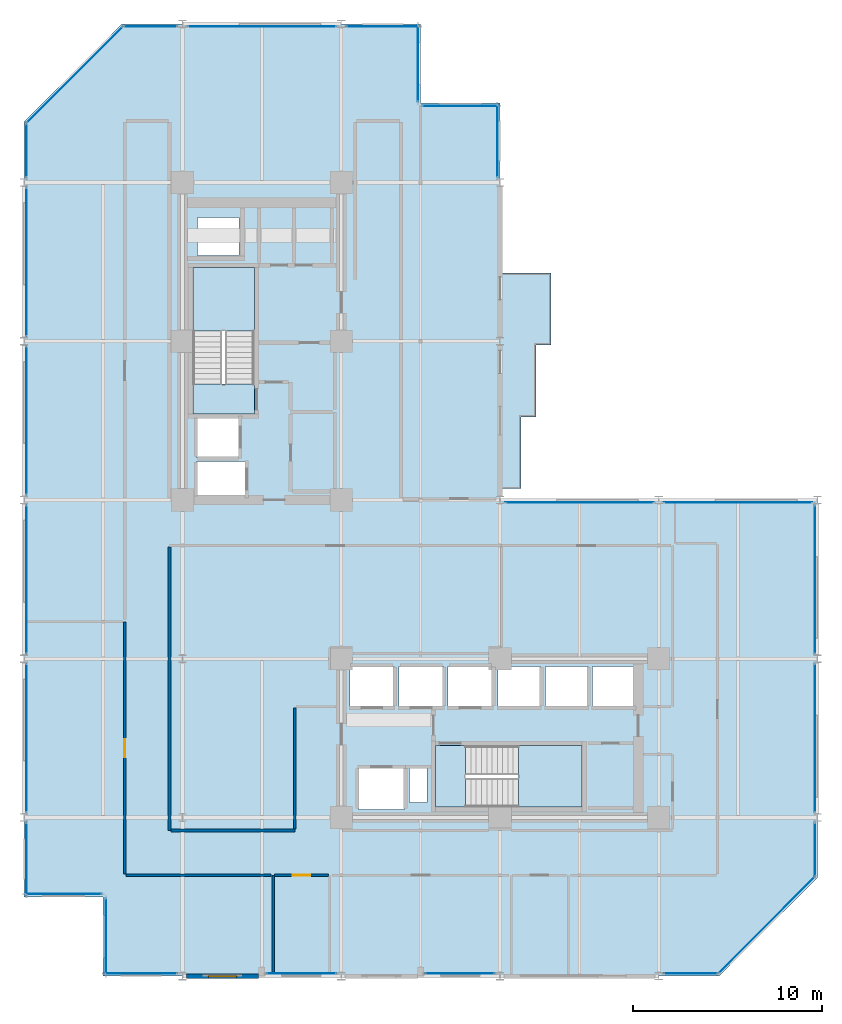
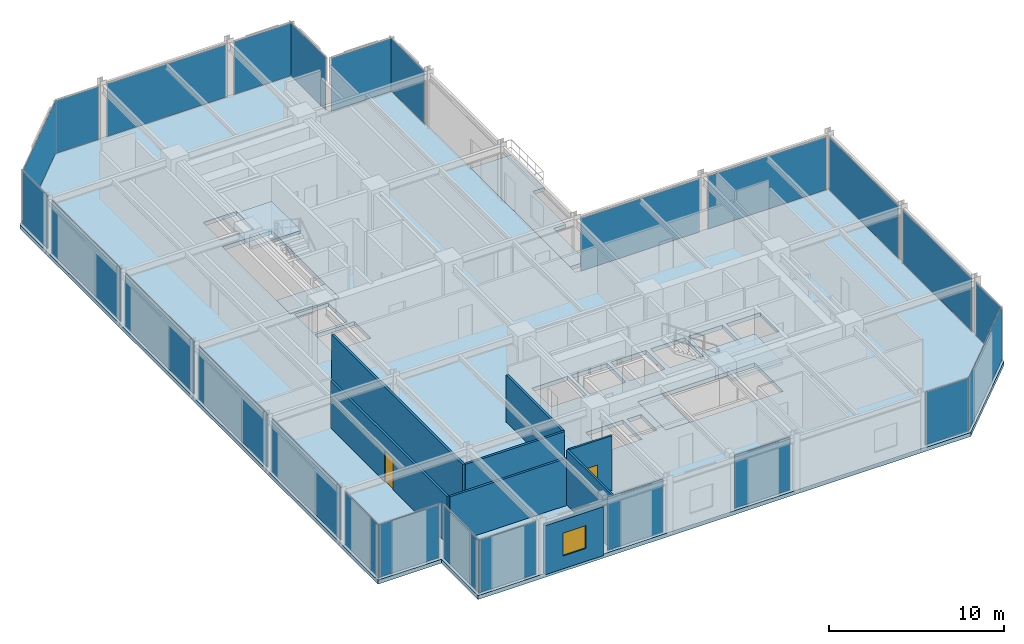
# One storey, part 23 of 29: 25 plates, 8 walls, 6 slabs, 2 doors, 1 window, 3 openings, 27 elements without a shape of their own.
"""IFC4 building model written with IfcOpenShell, lengths in metres."""

from ifc_helpers import new_model, si_unit, direction, frame, frame_2d, origin, origin_2d, place, context, subcontext, project, spatial, polyline, rectangle, outline, extrude, material, layer, layer_set, type_object, element, fill, aggregate, save


model = new_model("IFC4")

# Units and contexts
model_context = context("Model", 3, precision=1e-05, world=origin(), true_north=direction((0.0, 1.0)))
body_context = subcontext(model_context, "Body", "Model", "MODEL_VIEW")
ifc_project = project(units=[si_unit("LENGTHUNIT", "METRE"), si_unit("AREAUNIT", "SQUARE_METRE"), si_unit("VOLUMEUNIT", "CUBIC_METRE"), si_unit("PLANEANGLEUNIT", "RADIAN"), si_unit("MASSUNIT", "GRAM", prefix="KILO")], contexts=[model_context])

# Site, building, storey
site_placement = place(None, origin())
site = spatial("IfcSite", under=ifc_project, at=site_placement, CompositionType="ELEMENT")
building_placement = place(site_placement, origin())
building = spatial("IfcBuilding", under=site, at=building_placement, Name="Nerrivon Quay Data Exchange", CompositionType="ELEMENT")
storey_placement = place(building_placement, frame((0.0, 0.0, 121.300048828125)))
storey = spatial("IfcBuildingStorey", under=building, at=storey_placement, Name="L28", CompositionType="ELEMENT", Elevation=121.300048828125)

# Curtain wall, plate
ifc_material_1 = material(Name="Anodised aluminium 6063-T6", Category="aluminium")
ifc_layer_1 = layer(ifc_material_1, 0.2099609375)
ifc_layer_set_1 = layer_set([ifc_layer_1], Name="Anodised aluminium 6063-T6")
curtain_wall_type = type_object("IfcCurtainWallType", Name="CW-SYS-02", PredefinedType="NOTDEFINED", material=ifc_layer_set_1)
curtain_wall_1_placement = place(storey_placement, origin())
curtain_wall_1 = element("IfcCurtainWall", 1, at=curtain_wall_1_placement, inside=storey, type_object=curtain_wall_type, Name="L28 Unitised Curtain Wall 1", PredefinedType="NOTDEFINED")
ifc_material_2 = material(Name="Double-glazed low-E solar control glass", Category="glass")
ifc_layer_2 = layer(ifc_material_2, 0.028076171875)
ifc_layer_set_2 = layer_set([ifc_layer_2], Name="Double-glazed low-E solar control glass")
plate_type = type_object("IfcPlateType", Name="CWP-GLZ-28", PredefinedType="CURTAIN_PANEL", material=ifc_layer_set_2)
plate_1_placement = place(storey_placement, frame((39.301025390625, 2.698974609375, 0.06494140625), z_axis=(0.0, 0.0, 1.0), x_axis=(-0.707106781187, -0.707106781187, 0.0)))
plate_1 = element("IfcPlate", 2, at=plate_1_placement, type_object=plate_type, Name="CW02 panel 1.1", PredefinedType="CURTAIN_PANEL", context=body_context, shape_type="SweptSolid", body=[
    extrude(rectangle(XDim=7.203857421875, YDim=0.028076171875, at=origin_2d()), origin(), (0.0, 0.0, 1.0), 3.695068359375),
])
aggregate(curtain_wall_1, [plate_1])

curtain_wall_2_placement = place(storey_placement, origin())
curtain_wall_2 = element("IfcCurtainWall", 3, at=curtain_wall_2_placement, inside=storey, type_object=curtain_wall_type, Name="L28 Unitised Curtain Wall 2", PredefinedType="NOTDEFINED")
plate_2_placement = place(storey_placement, frame((35.300048828125, 0.139892578125, 0.06494140625), z_axis=(0.0, 0.0, 1.0), x_axis=(-1.0, 0.0, 0.0)))
plate_2 = element("IfcPlate", 4, at=plate_2_placement, type_object=plate_type, Name="CW02 panel 1.1", PredefinedType="CURTAIN_PANEL", context=body_context, shape_type="SweptSolid", body=[
    extrude(rectangle(XDim=2.85009765625, YDim=0.028076171875, at=origin_2d()), origin(), (0.0, 0.0, 1.0), 3.695068359375),
])
aggregate(curtain_wall_2, [plate_2])

curtain_wall_3_placement = place(storey_placement, origin())
curtain_wall_3 = element("IfcCurtainWall", 5, at=curtain_wall_3_placement, inside=storey, type_object=curtain_wall_type, Name="L28 Unitised Curtain Wall 4", PredefinedType="NOTDEFINED")
plate_3_placement = place(storey_placement, frame((23.08740234375, 0.139892578125, 0.06494140625), z_axis=(0.0, 0.0, 1.0), x_axis=(-1.0, 0.0, 0.0)))
plate_3 = element("IfcPlate", 6, at=plate_3_placement, type_object=plate_type, Name="CW02 panel 1.1", PredefinedType="CURTAIN_PANEL", context=body_context, shape_type="SweptSolid", body=[
    extrude(rectangle(XDim=3.675048828125, YDim=0.028076171875, at=origin_2d()), origin(), (0.0, 0.0, 1.0), 3.695068359375),
])
aggregate(curtain_wall_3, [plate_3])

curtain_wall_4_placement = place(storey_placement, origin())
curtain_wall_4 = element("IfcCurtainWall", 7, at=curtain_wall_4_placement, inside=storey, type_object=curtain_wall_type, Name="L28 Unitised Curtain Wall 6", PredefinedType="NOTDEFINED")
plate_4_placement = place(storey_placement, frame((14.6875, 0.139892578125, 0.06494140625), z_axis=(0.0, 0.0, 1.0), x_axis=(-1.0, 0.0, 0.0)))
plate_4 = element("IfcPlate", 8, at=plate_4_placement, type_object=plate_type, Name="CW02 panel 1.1", PredefinedType="CURTAIN_PANEL", context=body_context, shape_type="SweptSolid", body=[
    extrude(rectangle(XDim=3.675048828125, YDim=0.028076171875, at=origin_2d()), origin(), (0.0, 0.0, 1.0), 3.695068359375),
])
aggregate(curtain_wall_4, [plate_4])

curtain_wall_5_placement = place(storey_placement, origin())
curtain_wall_5 = element("IfcCurtainWall", 9, at=curtain_wall_5_placement, inside=storey, type_object=curtain_wall_type, Name="L28 Unitised Curtain Wall 8", PredefinedType="NOTDEFINED")
plate_5_placement = place(storey_placement, frame((6.199951171875, 0.139892578125, 0.06494140625), z_axis=(0.0, 0.0, 1.0), x_axis=(-1.0, 0.0, 0.0)))
plate_5 = element("IfcPlate", 10, at=plate_5_placement, type_object=plate_type, Name="CW02 panel 1.1", PredefinedType="CURTAIN_PANEL", context=body_context, shape_type="SweptSolid", body=[
    extrude(rectangle(XDim=3.85009765625, YDim=0.028076171875, at=origin_2d()), origin(), (0.0, 0.0, 1.0), 3.695068359375),
])
aggregate(curtain_wall_5, [plate_5])

curtain_wall_6_placement = place(storey_placement, origin())
curtain_wall_6 = element("IfcCurtainWall", 11, at=curtain_wall_6_placement, inside=storey, type_object=curtain_wall_type, Name="L28 Unitised Curtain Wall 9", PredefinedType="NOTDEFINED")
plate_6_placement = place(storey_placement, frame((4.340087890625, 2.10009765625, 0.06494140625), z_axis=(0.0, 0.0, 1.0), x_axis=(0.0, 1.0, 0.0)))
plate_6 = element("IfcPlate", 12, at=plate_6_placement, type_object=plate_type, Name="CW02 panel 1.1", PredefinedType="CURTAIN_PANEL", context=body_context, shape_type="SweptSolid", body=[
    extrude(rectangle(XDim=4.050048828125, YDim=0.028076171875, at=origin_2d()), origin(), (0.0, 0.0, 1.0), 3.695068359375),
])
aggregate(curtain_wall_6, [plate_6])

curtain_wall_7_placement = place(storey_placement, origin())
curtain_wall_7 = element("IfcCurtainWall", 13, at=curtain_wall_7_placement, inside=storey, type_object=curtain_wall_type, Name="L28 Unitised Curtain Wall 10", PredefinedType="NOTDEFINED")
plate_7_placement = place(storey_placement, frame((2.10009765625, 4.340087890625, 0.06494140625), z_axis=(0.0, 0.0, 1.0), x_axis=(-1.0, 0.0, 0.0)))
plate_7 = element("IfcPlate", 14, at=plate_7_placement, type_object=plate_type, Name="CW02 panel 1.1", PredefinedType="CURTAIN_PANEL", context=body_context, shape_type="SweptSolid", body=[
    extrude(rectangle(XDim=4.050048828125, YDim=0.028076171875, at=origin_2d()), origin(), (0.0, 0.0, 1.0), 3.695068359375),
])
aggregate(curtain_wall_7, [plate_7])

curtain_wall_8_placement = place(storey_placement, origin())
curtain_wall_8 = element("IfcCurtainWall", 15, at=curtain_wall_8_placement, inside=storey, type_object=curtain_wall_type, Name="L28 Unitised Curtain Wall 11", PredefinedType="NOTDEFINED")
plate_8_placement = place(storey_placement, frame((0.139892578125, 6.199951171875, 0.06494140625), z_axis=(0.0, 0.0, 1.0), x_axis=(0.0, 1.0, 0.0)))
plate_8 = element("IfcPlate", 16, at=plate_8_placement, type_object=plate_type, Name="CW02 panel 1.1", PredefinedType="CURTAIN_PANEL", context=body_context, shape_type="SweptSolid", body=[
    extrude(rectangle(XDim=3.85009765625, YDim=0.028076171875, at=origin_2d()), origin(), (0.0, 0.0, 1.0), 3.695068359375),
])
aggregate(curtain_wall_8, [plate_8])

curtain_wall_9_placement = place(storey_placement, origin())
curtain_wall_9 = element("IfcCurtainWall", 17, at=curtain_wall_9_placement, inside=storey, type_object=curtain_wall_type, Name="L28 Unitised Curtain Wall 12", PredefinedType="NOTDEFINED")
plate_9_placement = place(storey_placement, frame((0.139892578125, 12.60009765625, 0.06494140625), z_axis=(0.0, 0.0, 1.0), x_axis=(0.0, 1.0, 0.0)))
plate_9 = element("IfcPlate", 18, at=plate_9_placement, type_object=plate_type, Name="CW02 panel 1.1", PredefinedType="CURTAIN_PANEL", context=body_context, shape_type="SweptSolid", body=[
    extrude(rectangle(XDim=7.85009765625, YDim=0.028076171875, at=origin_2d()), origin(), (0.0, 0.0, 1.0), 3.695068359375),
])
aggregate(curtain_wall_9, [plate_9])

curtain_wall_10_placement = place(storey_placement, origin())
curtain_wall_10 = element("IfcCurtainWall", 19, at=curtain_wall_10_placement, inside=storey, type_object=curtain_wall_type, Name="L28 Unitised Curtain Wall 13", PredefinedType="NOTDEFINED")
plate_10_placement = place(storey_placement, frame((0.139892578125, 21.0, 0.06494140625), z_axis=(0.0, 0.0, 1.0), x_axis=(0.0, 1.0, 0.0)))
plate_10 = element("IfcPlate", 20, at=plate_10_placement, type_object=plate_type, Name="CW02 panel 1.1", PredefinedType="CURTAIN_PANEL", context=body_context, shape_type="SweptSolid", body=[
    extrude(rectangle(XDim=7.85009765625, YDim=0.028076171875, at=origin_2d()), origin(), (0.0, 0.0, 1.0), 3.695068359375),
])
aggregate(curtain_wall_10, [plate_10])

curtain_wall_11_placement = place(storey_placement, origin())
curtain_wall_11 = element("IfcCurtainWall", 21, at=curtain_wall_11_placement, inside=storey, type_object=curtain_wall_type, Name="L28 Unitised Curtain Wall 14", PredefinedType="NOTDEFINED")
plate_11_placement = place(storey_placement, frame((0.139892578125, 29.39990234375, 0.06494140625), z_axis=(0.0, 0.0, 1.0), x_axis=(0.0, 1.0, 0.0)))
plate_11 = element("IfcPlate", 22, at=plate_11_placement, type_object=plate_type, Name="CW02 panel 1.1", PredefinedType="CURTAIN_PANEL", context=body_context, shape_type="SweptSolid", body=[
    extrude(rectangle(XDim=7.85009765625, YDim=0.028076171875, at=origin_2d()), origin(), (0.0, 0.0, 1.0), 3.695068359375),
])
aggregate(curtain_wall_11, [plate_11])

curtain_wall_12_placement = place(storey_placement, origin())
curtain_wall_12 = element("IfcCurtainWall", 23, at=curtain_wall_12_placement, inside=storey, type_object=curtain_wall_type, Name="L28 Unitised Curtain Wall 15", PredefinedType="NOTDEFINED")
plate_12_placement = place(storey_placement, frame((0.139892578125, 37.800048828125, 0.06494140625), z_axis=(0.0, 0.0, 1.0), x_axis=(0.0, 1.0, 0.0)))
plate_12 = element("IfcPlate", 24, at=plate_12_placement, type_object=plate_type, Name="CW02 panel 1.1", PredefinedType="CURTAIN_PANEL", context=body_context, shape_type="SweptSolid", body=[
    extrude(rectangle(XDim=7.85009765625, YDim=0.028076171875, at=origin_2d()), origin(), (0.0, 0.0, 1.0), 3.695068359375),
])
aggregate(curtain_wall_12, [plate_12])

curtain_wall_13_placement = place(storey_placement, origin())
curtain_wall_13 = element("IfcCurtainWall", 25, at=curtain_wall_13_placement, inside=storey, type_object=curtain_wall_type, Name="L28 Unitised Curtain Wall 16", PredefinedType="NOTDEFINED")
plate_13_placement = place(storey_placement, frame((0.139892578125, 43.699951171875, 0.06494140625), z_axis=(0.0, 0.0, 1.0), x_axis=(0.0, 1.0, 0.0)))
plate_13 = element("IfcPlate", 26, at=plate_13_placement, type_object=plate_type, Name="CW02 panel 1.1", PredefinedType="CURTAIN_PANEL", context=body_context, shape_type="SweptSolid", body=[
    extrude(rectangle(XDim=2.85009765625, YDim=0.028076171875, at=origin_2d()), origin(), (0.0, 0.0, 1.0), 3.695068359375),
])
aggregate(curtain_wall_13, [plate_13])

curtain_wall_14_placement = place(storey_placement, origin())
curtain_wall_14 = element("IfcCurtainWall", 27, at=curtain_wall_14_placement, inside=storey, type_object=curtain_wall_type, Name="L28 Unitised Curtain Wall 17", PredefinedType="NOTDEFINED")
plate_14_placement = place(storey_placement, frame((2.698974609375, 47.700927734375, 0.06494140625), z_axis=(0.0, 0.0, 1.0), x_axis=(0.707106781187, 0.707106781187, 0.0)))
plate_14 = element("IfcPlate", 28, at=plate_14_placement, type_object=plate_type, Name="CW02 panel 1.1", PredefinedType="CURTAIN_PANEL", context=body_context, shape_type="SweptSolid", body=[
    extrude(rectangle(XDim=7.203857421875, YDim=0.028076171875, at=origin_2d()), origin(), (0.0, 0.0, 1.0), 3.695068359375),
])
aggregate(curtain_wall_14, [plate_14])

curtain_wall_15_placement = place(storey_placement, origin())
curtain_wall_15 = element("IfcCurtainWall", 29, at=curtain_wall_15_placement, inside=storey, type_object=curtain_wall_type, Name="L28 Unitised Curtain Wall 18", PredefinedType="NOTDEFINED")
plate_15_placement = place(storey_placement, frame((6.699951171875, 50.260009765625, 0.06494140625), z_axis=(0.0, 0.0, 1.0), x_axis=(1.0, 0.0, 0.0)))
plate_15 = element("IfcPlate", 30, at=plate_15_placement, type_object=plate_type, Name="CW02 panel 1.1", PredefinedType="CURTAIN_PANEL", context=body_context, shape_type="SweptSolid", body=[
    extrude(rectangle(XDim=2.85009765625, YDim=0.028076171875, at=origin_2d()), origin(), (0.0, 0.0, 1.0), 3.695068359375),
])
aggregate(curtain_wall_15, [plate_15])

curtain_wall_16_placement = place(storey_placement, origin())
curtain_wall_16 = element("IfcCurtainWall", 31, at=curtain_wall_16_placement, inside=storey, type_object=curtain_wall_type, Name="L28 Unitised Curtain Wall 19", PredefinedType="NOTDEFINED")
plate_16_placement = place(storey_placement, frame((12.60009765625, 50.260009765625, 0.06494140625), z_axis=(0.0, 0.0, 1.0), x_axis=(1.0, 0.0, 0.0)))
plate_16 = element("IfcPlate", 32, at=plate_16_placement, type_object=plate_type, Name="CW02 panel 1.1", PredefinedType="CURTAIN_PANEL", context=body_context, shape_type="SweptSolid", body=[
    extrude(rectangle(XDim=7.85009765625, YDim=0.028076171875, at=origin_2d()), origin(), (0.0, 0.0, 1.0), 3.695068359375),
])
aggregate(curtain_wall_16, [plate_16])

curtain_wall_17_placement = place(storey_placement, origin())
curtain_wall_17 = element("IfcCurtainWall", 33, at=curtain_wall_17_placement, inside=storey, type_object=curtain_wall_type, Name="L28 Unitised Curtain Wall 20", PredefinedType="NOTDEFINED")
plate_17_placement = place(storey_placement, frame((19.0, 50.260009765625, 0.06494140625), z_axis=(0.0, 0.0, 1.0), x_axis=(1.0, 0.0, 0.0)))
plate_17 = element("IfcPlate", 34, at=plate_17_placement, type_object=plate_type, Name="CW02 panel 1.1", PredefinedType="CURTAIN_PANEL", context=body_context, shape_type="SweptSolid", body=[
    extrude(rectangle(XDim=3.85009765625, YDim=0.028076171875, at=origin_2d()), origin(), (0.0, 0.0, 1.0), 3.695068359375),
])
aggregate(curtain_wall_17, [plate_17])

curtain_wall_18_placement = place(storey_placement, origin())
curtain_wall_18 = element("IfcCurtainWall", 35, at=curtain_wall_18_placement, inside=storey, type_object=curtain_wall_type, Name="L28 Unitised Curtain Wall 21", PredefinedType="NOTDEFINED")
plate_18_placement = place(storey_placement, frame((20.860107421875, 48.300048828125, 0.06494140625), z_axis=(0.0, 0.0, 1.0), x_axis=(0.0, -1.0, 0.0)))
plate_18 = element("IfcPlate", 36, at=plate_18_placement, type_object=plate_type, Name="CW02 panel 1.1", PredefinedType="CURTAIN_PANEL", context=body_context, shape_type="SweptSolid", body=[
    extrude(rectangle(XDim=4.050048828125, YDim=0.028076171875, at=origin_2d()), origin(), (0.0, 0.0, 1.0), 3.695068359375),
])
aggregate(curtain_wall_18, [plate_18])

curtain_wall_19_placement = place(storey_placement, origin())
curtain_wall_19 = element("IfcCurtainWall", 37, at=curtain_wall_19_placement, inside=storey, type_object=curtain_wall_type, Name="L28 Unitised Curtain Wall 22", PredefinedType="NOTDEFINED")
plate_19_placement = place(storey_placement, frame((23.10009765625, 46.06005859375, 0.06494140625), z_axis=(0.0, 0.0, 1.0), x_axis=(1.0, 0.0, 0.0)))
plate_19 = element("IfcPlate", 38, at=plate_19_placement, type_object=plate_type, Name="CW02 panel 1.1", PredefinedType="CURTAIN_PANEL", context=body_context, shape_type="SweptSolid", body=[
    extrude(rectangle(XDim=4.050048828125, YDim=0.028076171875, at=origin_2d()), origin(), (0.0, 0.0, 1.0), 3.695068359375),
])
aggregate(curtain_wall_19, [plate_19])

curtain_wall_20_placement = place(storey_placement, origin())
curtain_wall_20 = element("IfcCurtainWall", 39, at=curtain_wall_20_placement, inside=storey, type_object=curtain_wall_type, Name="L28 Unitised Curtain Wall 23", PredefinedType="NOTDEFINED")
plate_20_placement = place(storey_placement, frame((25.06005859375, 44.199951171875, 0.06494140625), z_axis=(0.0, 0.0, 1.0), x_axis=(0.0, -1.0, 0.0)))
plate_20 = element("IfcPlate", 40, at=plate_20_placement, type_object=plate_type, Name="CW02 panel 1.1", PredefinedType="CURTAIN_PANEL", context=body_context, shape_type="SweptSolid", body=[
    extrude(rectangle(XDim=3.85009765625, YDim=0.028076171875, at=origin_2d()), origin(), (0.0, 0.0, 1.0), 3.695068359375),
])
aggregate(curtain_wall_20, [plate_20])

curtain_wall_21_placement = place(storey_placement, origin())
curtain_wall_21 = element("IfcCurtainWall", 41, at=curtain_wall_21_placement, inside=storey, type_object=curtain_wall_type, Name="L28 Unitised Curtain Wall 26", PredefinedType="NOTDEFINED")
plate_21_placement = place(storey_placement, frame((29.39990234375, 25.06005859375, 0.06494140625), z_axis=(0.0, 0.0, 1.0), x_axis=(1.0, 0.0, 0.0)))
plate_21 = element("IfcPlate", 42, at=plate_21_placement, type_object=plate_type, Name="CW02 panel 1.1", PredefinedType="CURTAIN_PANEL", context=body_context, shape_type="SweptSolid", body=[
    extrude(rectangle(XDim=7.85009765625, YDim=0.028076171875, at=origin_2d()), origin(), (0.0, 0.0, 1.0), 3.695068359375),
])
aggregate(curtain_wall_21, [plate_21])

curtain_wall_22_placement = place(storey_placement, origin())
curtain_wall_22 = element("IfcCurtainWall", 43, at=curtain_wall_22_placement, inside=storey, type_object=curtain_wall_type, Name="L28 Unitised Curtain Wall 27", PredefinedType="NOTDEFINED")
plate_22_placement = place(storey_placement, frame((37.800048828125, 25.06005859375, 0.06494140625), z_axis=(0.0, 0.0, 1.0), x_axis=(1.0, 0.0, 0.0)))
plate_22 = element("IfcPlate", 44, at=plate_22_placement, type_object=plate_type, Name="CW02 panel 1.1", PredefinedType="CURTAIN_PANEL", context=body_context, shape_type="SweptSolid", body=[
    extrude(rectangle(XDim=7.85009765625, YDim=0.028076171875, at=origin_2d()), origin(), (0.0, 0.0, 1.0), 3.695068359375),
])
aggregate(curtain_wall_22, [plate_22])

curtain_wall_23_placement = place(storey_placement, origin())
curtain_wall_23 = element("IfcCurtainWall", 45, at=curtain_wall_23_placement, inside=storey, type_object=curtain_wall_type, Name="L28 Unitised Curtain Wall 28", PredefinedType="NOTDEFINED")
plate_23_placement = place(storey_placement, frame((41.860107421875, 21.0, 0.06494140625), z_axis=(0.0, 0.0, 1.0), x_axis=(0.0, -1.0, 0.0)))
plate_23 = element("IfcPlate", 46, at=plate_23_placement, type_object=plate_type, Name="CW02 panel 1.1", PredefinedType="CURTAIN_PANEL", context=body_context, shape_type="SweptSolid", body=[
    extrude(rectangle(XDim=7.85009765625, YDim=0.028076171875, at=origin_2d()), origin(), (0.0, 0.0, 1.0), 3.695068359375),
])
aggregate(curtain_wall_23, [plate_23])

curtain_wall_24_placement = place(storey_placement, origin())
curtain_wall_24 = element("IfcCurtainWall", 47, at=curtain_wall_24_placement, inside=storey, type_object=curtain_wall_type, Name="L28 Unitised Curtain Wall 29", PredefinedType="NOTDEFINED")
plate_24_placement = place(storey_placement, frame((41.860107421875, 12.60009765625, 0.06494140625), z_axis=(0.0, 0.0, 1.0), x_axis=(0.0, -1.0, 0.0)))
plate_24 = element("IfcPlate", 48, at=plate_24_placement, type_object=plate_type, Name="CW02 panel 1.1", PredefinedType="CURTAIN_PANEL", context=body_context, shape_type="SweptSolid", body=[
    extrude(rectangle(XDim=7.85009765625, YDim=0.028076171875, at=origin_2d()), origin(), (0.0, 0.0, 1.0), 3.695068359375),
])
aggregate(curtain_wall_24, [plate_24])

curtain_wall_25_placement = place(storey_placement, origin())
curtain_wall_25 = element("IfcCurtainWall", 49, at=curtain_wall_25_placement, inside=storey, type_object=curtain_wall_type, Name="L28 Unitised Curtain Wall 30", PredefinedType="NOTDEFINED")
plate_25_placement = place(storey_placement, frame((41.860107421875, 6.699951171875, 0.06494140625), z_axis=(0.0, 0.0, 1.0), x_axis=(0.0, -1.0, 0.0)))
plate_25 = element("IfcPlate", 50, at=plate_25_placement, type_object=plate_type, Name="CW02 panel 1.1", PredefinedType="CURTAIN_PANEL", context=body_context, shape_type="SweptSolid", body=[
    extrude(rectangle(XDim=2.85009765625, YDim=0.028076171875, at=origin_2d()), origin(), (0.0, 0.0, 1.0), 3.695068359375),
])
aggregate(curtain_wall_25, [plate_25])

# Slab
ifc_material_3 = material(Name="Precast white architectural concrete N50 (50 MPa)", Category="concrete")
ifc_layer_3 = layer(ifc_material_3, 0.25)
ifc_layer_set_3 = layer_set([ifc_layer_3], Name="Precast white architectural concrete N50 (50 MPa)")
slab_type_1 = type_object("IfcSlabType", Name="SLB-BAL-250", PredefinedType="FLOOR", material=ifc_layer_set_3)
slab_1_placement = place(storey_placement, frame((0.0, 0.0, -0.25)))
element("IfcSlab", 51, at=slab_1_placement, inside=storey, type_object=slab_type_1, Name="L28 Waterfront Subtropical Verandah", PredefinedType="FLOOR", context=body_context, shape_type="SweptSolid", body=[
    extrude(outline(polyline([(26.300048828125, 29.60009765625), (27.10009765625, 29.60009765625), (27.10009765625, 33.39990234375), (27.89990234375, 33.39990234375), (27.89990234375, 37.199951171875), (25.199951171875, 37.199951171875), (25.199951171875, 33.39990234375), (25.199951171875, 29.60009765625), (25.199951171875, 25.800048828125), (26.300048828125, 25.800048828125), (26.300048828125, 29.60009765625)])), origin(), (0.0, 0.0, 1.0), 0.25),
])

# Stair, slab
ifc_material_4 = material(Name="Concrete N50 (50 MPa)", Category="concrete")
stair_type = type_object("IfcStairType", Name="STAIR-DOG-41", PredefinedType="HALF_TURN_STAIR", material=ifc_material_4)
stair_1_placement = place(storey_placement, origin())
stair_1 = element("IfcStair", 52, at=stair_1_placement, inside=storey, type_object=stair_type, Name="L28 West Core Fire Stair ST01", PredefinedType="HALF_TURN_STAIR")
ifc_layer_4 = layer(ifc_material_4, 0.199951171875)
ifc_layer_set_4 = layer_set([ifc_layer_4], Name="Concrete N50 (50 MPa)")
slab_type_2 = type_object("IfcSlabType", Name="SLB-LAND-200", PredefinedType="LANDING", material=ifc_layer_set_4)
slab_2_placement = place(storey_placement, frame((0.0, 0.0, 1.849853515625)))
slab_2 = element("IfcSlab", 53, at=slab_2_placement, type_object=slab_type_2, Name="ST01 landing 1", PredefinedType="LANDING", context=body_context, shape_type="SweptSolid", body=[
    extrude(outline(polyline([(12.199951171875, 34.1298828125), (12.199951171875, 37.5), (8.949951171875, 37.5), (8.949951171875, 34.1298828125), (12.199951171875, 34.1298828125)])), origin(), (0.0, 0.0, 1.0), 0.2001953125),
])
aggregate(stair_1, [slab_2])

# Slab
slab_3_placement = place(storey_placement, frame((0.0, 0.0, -0.199951171875)))
element("IfcSlab", 54, at=slab_3_placement, inside=storey, type_object=slab_type_2, Name="L28 ST01 floor landing", PredefinedType="LANDING", context=body_context, shape_type="SweptSolid", body=[
    extrude(outline(polyline([(12.199951171875, 29.75), (12.199951171875, 31.330078125), (8.949951171875, 31.330078125), (8.949951171875, 29.75), (12.199951171875, 29.75)])), origin(), (0.0, 0.0, 1.0), 0.199951171875),
])

# Stair, slab
stair_2_placement = place(storey_placement, origin())
stair_2 = element("IfcStair", 55, at=stair_2_placement, inside=storey, type_object=stair_type, Name="L28 East Core Fire Stair ST02", PredefinedType="HALF_TURN_STAIR")
slab_4_placement = place(storey_placement, frame((0.0, 0.0, 1.849853515625)))
slab_4 = element("IfcSlab", 56, at=slab_4_placement, type_object=slab_type_2, Name="ST02 landing 1", PredefinedType="LANDING", context=body_context, shape_type="SweptSolid", body=[
    extrude(outline(polyline([(26.179931640625, 8.949951171875), (29.550048828125, 8.949951171875), (29.550048828125, 12.199951171875), (26.179931640625, 12.199951171875), (26.179931640625, 8.949951171875)])), origin(), (0.0, 0.0, 1.0), 0.2001953125),
])
aggregate(stair_2, [slab_4])

# Slabs
slab_5_placement = place(storey_placement, frame((0.0, 0.0, -0.199951171875)))
element("IfcSlab", 57, at=slab_5_placement, inside=storey, type_object=slab_type_2, Name="L28 ST02 floor landing", PredefinedType="LANDING", context=body_context, shape_type="SweptSolid", body=[
    extrude(outline(polyline([(21.800048828125, 8.949951171875), (23.3798828125, 8.949951171875), (23.3798828125, 12.199951171875), (21.800048828125, 12.199951171875), (21.800048828125, 8.949951171875)])), origin(), (0.0, 0.0, 1.0), 0.199951171875),
])
ifc_layer_5 = layer(ifc_material_4, 0.27490234375)
ifc_layer_set_5 = layer_set([ifc_layer_5], Name="Concrete N50 (50 MPa)")
slab_type_3 = type_object("IfcSlabType", Name="SLB-TOW-275", PredefinedType="FLOOR", material=ifc_layer_set_5)
slab_6_placement = place(storey_placement, frame((0.0, 0.0, -0.275146484375)))
element("IfcSlab", 58, at=slab_6_placement, inside=storey, type_object=slab_type_3, Name="L28 Primary Structural Slab", PredefinedType="FLOOR", context=body_context, shape_type="SweptSolid", body=[
    extrude(outline(polyline([(42.0, 25.199951171875), (25.199951171875, 25.199951171875), (25.199951171875, 46.199951171875), (21.0, 46.199951171875), (21.0, 50.39990234375), (5.199951171875, 50.39990234375), (0.0, 45.199951171875), (0.0, 4.199951171875), (4.199951171875, 4.199951171875), (4.199951171875, 0.0), (36.800048828125, 0.0), (42.0, 5.199951171875), (42.0, 25.199951171875)]), holes=[polyline([(8.949951171875, 29.75), (8.949951171875, 37.5), (12.199951171875, 37.5), (12.199951171875, 29.75), (8.949951171875, 29.75)]), polyline([(21.800048828125, 12.199951171875), (29.550048828125, 12.199951171875), (29.550048828125, 8.949951171875), (21.800048828125, 8.949951171875), (21.800048828125, 12.199951171875)]), polyline([(30.10009765625, 16.39990234375), (32.35009765625, 16.39990234375), (32.35009765625, 14.25), (30.10009765625, 14.25), (30.10009765625, 16.39990234375)]), polyline([(27.60009765625, 16.39990234375), (29.85009765625, 16.39990234375), (29.85009765625, 14.25), (27.60009765625, 14.25), (27.60009765625, 16.39990234375)]), polyline([(25.10009765625, 14.25), (25.10009765625, 16.39990234375), (27.35009765625, 16.39990234375), (27.35009765625, 14.25), (25.10009765625, 14.25)]), polyline([(22.449951171875, 16.39990234375), (24.800048828125, 16.39990234375), (24.800048828125, 14.25), (22.449951171875, 14.25), (22.449951171875, 16.39990234375)]), polyline([(19.85009765625, 16.39990234375), (22.199951171875, 16.39990234375), (22.199951171875, 14.25), (19.85009765625, 14.25), (19.85009765625, 16.39990234375)]), polyline([(20.39990234375, 9.199951171875), (20.39990234375, 11.0), (21.35009765625, 11.0), (21.35009765625, 9.199951171875), (20.39990234375, 9.199951171875)]), polyline([(17.699951171875, 8.830078125), (17.699951171875, 11.030029296875), (20.14990234375, 11.030029296875), (20.14990234375, 8.830078125), (17.699951171875, 8.830078125)]), polyline([(17.25, 14.25), (17.25, 16.39990234375), (19.60009765625, 16.39990234375), (19.60009765625, 14.25), (17.25, 14.25)]), polyline([(9.14990234375, 27.25), (11.75, 27.25), (11.75, 25.35009765625), (9.14990234375, 25.35009765625), (9.14990234375, 27.25)]), polyline([(9.14990234375, 29.60009765625), (11.39990234375, 29.60009765625), (11.39990234375, 27.449951171875), (9.14990234375, 27.449951171875), (9.14990234375, 29.60009765625)]), polyline([(9.199951171875, 38.14990234375), (9.199951171875, 40.14990234375), (11.39990234375, 40.14990234375), (11.39990234375, 38.14990234375), (9.199951171875, 38.14990234375)])]), origin(), (0.0, 0.0, 1.0), 0.275146484375),
])

# Wall, opening, window
ifc_material_5 = material(Name="Architectural terracotta precast concrete N50 (50 MPa)", Category="masonry")
ifc_layer_6 = layer(ifc_material_5, 0.239990234375)
ifc_layer_set_6 = layer_set([ifc_layer_6], Name="Architectural terracotta precast concrete N50 (50 MPa)")
wall_type_1 = type_object("IfcWallType", Name="EW-PREC-240", PredefinedType="STANDARD", material=ifc_layer_set_6)
wall_1_placement = place(storey_placement, frame((12.425048828125, 0.0, 0.0), z_axis=(0.0, 0.0, 1.0), x_axis=(-1.0, 0.0, 0.0)))
wall_1 = element("IfcWall", 59, at=wall_1_placement, inside=storey, type_object=wall_type_1, Name="L28 Podium Precast Spandrel Wall 7", PredefinedType="STANDARD", context=body_context, shape_type="SweptSolid", body=[
    extrude(rectangle(XDim=3.824951171875, YDim=0.239990234375, at=frame_2d((1.91259765625, 0.0))), origin(), (0.0, 0.0, 1.0), 3.421875),
])
opening_1_placement = place(wall_1_placement, frame((1.16259765625, 0.0, 0.89990234375)))
opening_1 = element("IfcOpeningElement", 60, at=opening_1_placement, cuts=wall_1, Name="Opening WN4", PredefinedType="OPENING", context=body_context, shape_type="SweptSolid", body=[
    extrude(rectangle(XDim=1.5, YDim=1.60009765625, at=frame_2d((0.75, 0.800048828125))), frame((0.0, 0.1298828125, 0.0), z_axis=(0.0, -1.0, 0.0), x_axis=(1.0, 0.0, 0.0)), (0.0, 0.0, 1.0), 0.260009765625),
])
window_type = type_object("IfcWindowType", Name="WIN-W4-1500x1600", PartitioningType="SINGLE_PANEL", PredefinedType="WINDOW", material=ifc_material_2)
window_placement = place(opening_1_placement, origin())
window = element("IfcWindow", 61, at=window_placement, inside=storey, type_object=window_type, Name="L28 Solar Facade Window 7", OverallHeight=1.60009765625, OverallWidth=1.5, PartitioningType="SINGLE_PANEL", PredefinedType="WINDOW", context=body_context, shape_type="SweptSolid", body=[
    extrude(rectangle(XDim=1.5, YDim=1.60009765625, at=frame_2d((0.75, 0.800048828125))), frame((0.0, 0.030029296875, 0.0), z_axis=(0.0, -1.0, 0.0), x_axis=(1.0, 0.0, 0.0)), (0.0, 0.0, 1.0), 0.06005859375),
])
fill(opening_1, window)

# Wall, opening, door
ifc_material_6 = material(Name="Gypsum plasterboard on cold-formed framing", Category="gypsum")
ifc_layer_7 = layer(ifc_material_6, 0.1201171875)
ifc_layer_set_7 = layer_set([ifc_layer_7], Name="Gypsum plasterboard on cold-formed framing")
wall_type_2 = type_object("IfcWallType", Name="WALL-PT-120", PredefinedType="PARTITIONING", material=ifc_layer_set_7)
wall_2_placement = place(storey_placement, frame((16.12841796875, 5.340087890625, 0.0), z_axis=(0.0, 0.0, 1.0), x_axis=(-1.0, 0.0, 0.0)))
wall_2 = element("IfcWall", 62, at=wall_2_placement, inside=storey, type_object=wall_type_2, Name="L28 Partition Accessible Toilet", PredefinedType="PARTITIONING", context=body_context, shape_type="SweptSolid", body=[
    extrude(rectangle(XDim=2.85693359375, YDim=0.1201171875, at=frame_2d((1.428466796875, 0.0))), origin(), (0.0, 0.0, 1.0), 3.824951171875),
])
opening_2_placement = place(wall_2_placement, frame((0.968505859375, 0.0, 0.0)))
opening_2 = element("IfcOpeningElement", 63, at=opening_2_placement, cuts=wall_2, Name="Opening D-WC", PredefinedType="OPENING", context=body_context, shape_type="SweptSolid", body=[
    extrude(rectangle(XDim=0.919921875, YDim=2.10009765625, at=frame_2d((0.4599609375, 1.050048828125))), frame((0.0, 0.070068359375, 0.0), z_axis=(0.0, -1.0, 0.0), x_axis=(1.0, 0.0, 0.0)), (0.0, 0.0, 1.0), 0.14013671875),
])
ifc_material_7 = material(Name="Engineered hardwood timber", Category="wood")
door_type_1 = type_object("IfcDoorType", Name="DR-WC-920", OperationType="NOTDEFINED", PredefinedType="DOOR", material=ifc_material_7)
door_1_placement = place(opening_2_placement, origin())
door_1 = element("IfcDoor", 64, at=door_1_placement, inside=storey, type_object=door_type_1, Name="L28 Door Accessible Toilet", OperationType="SINGLE_SWING_RIGHT", OverallHeight=2.10009765625, OverallWidth=0.919921875, PredefinedType="DOOR", context=body_context, shape_type="SweptSolid", body=[
    extrude(rectangle(XDim=0.919921875, YDim=2.10009765625, at=frame_2d((0.4599609375, 1.050048828125))), frame((0.0, 0.02490234375, 0.0), z_axis=(0.0, -1.0, 0.0), x_axis=(1.0, 0.0, 0.0)), (0.0, 0.0, 1.0), 0.050048828125),
])
fill(opening_2, door_1)

# Wall
ifc_layer_8 = layer(ifc_material_6, 0.135009765625)
ifc_layer_set_8 = layer_set([ifc_layer_8], Name="Gypsum plasterboard on cold-formed framing")
wall_type_3 = type_object("IfcWallType", Name="WALL-PT-135", PredefinedType="PARTITIONING", material=ifc_layer_set_8)
wall_3_placement = place(storey_placement, frame((13.199951171875, 5.340087890625, 0.0), z_axis=(0.0, 0.0, 1.0), x_axis=(0.0, -1.0, 0.0)))
element("IfcWall", 65, at=wall_3_placement, inside=storey, type_object=wall_type_3, Name="L28 Partition Accessible Toilet", PredefinedType="PARTITIONING", context=body_context, shape_type="SweptSolid", body=[
    extrude(rectangle(XDim=5.171142578125, YDim=0.135009765625, at=frame_2d((2.58544921875, 0.0))), origin(), (0.0, 0.0, 1.0), 3.824951171875),
])

# Wall, opening, door
ifc_layer_9 = layer(ifc_material_6, 0.14990234375)
ifc_layer_set_9 = layer_set([ifc_layer_9], Name="Gypsum plasterboard on cold-formed framing")
wall_type_4 = type_object("IfcWallType", Name="WALL-PT-150", PredefinedType="PARTITIONING", material=ifc_layer_set_9)
wall_4_placement = place(storey_placement, frame((5.340087890625, 5.39990234375, 0.0), z_axis=(0.0, 0.0, 1.0), x_axis=(0.0, 1.0, 0.0)))
wall_4 = element("IfcWall", 66, at=wall_4_placement, inside=storey, type_object=wall_type_4, Name="L28 Partition Quiet Reading Room", PredefinedType="PARTITIONING", context=body_context, shape_type="SweptSolid", body=[
    extrude(rectangle(XDim=13.347412109375, YDim=0.14990234375, at=frame_2d((6.673828125, 0.0))), origin(), (0.0, 0.0, 1.0), 3.2919921875),
])
opening_3_placement = place(wall_4_placement, frame((6.198486328125, 0.0, 0.0)))
opening_3 = element("IfcOpeningElement", 67, at=opening_3_placement, cuts=wall_4, Name="Opening D-01", PredefinedType="OPENING", context=body_context, shape_type="SweptSolid", body=[
    extrude(rectangle(XDim=0.949951171875, YDim=2.14990234375, at=frame_2d((0.47509765625, 1.074951171875))), frame((0.0, 0.0849609375, 0.0), z_axis=(0.0, -1.0, 0.0), x_axis=(1.0, 0.0, 0.0)), (0.0, 0.0, 1.0), 0.169921875),
])
door_type_2 = type_object("IfcDoorType", Name="DR-INT-950", OperationType="NOTDEFINED", PredefinedType="DOOR", material=ifc_material_7)
door_2_placement = place(opening_3_placement, origin())
door_2 = element("IfcDoor", 68, at=door_2_placement, inside=storey, type_object=door_type_2, Name="L28 Door Quiet Reading Room", OperationType="SINGLE_SWING_LEFT", OverallHeight=2.14990234375, OverallWidth=0.949951171875, PredefinedType="DOOR", context=body_context, shape_type="SweptSolid", body=[
    extrude(rectangle(XDim=0.949951171875, YDim=2.14990234375, at=frame_2d((0.47509765625, 1.074951171875))), frame((0.0, 0.02490234375, 0.0), z_axis=(0.0, -1.0, 0.0), x_axis=(1.0, 0.0, 0.0)), (0.0, 0.0, 1.0), 0.050048828125),
])
fill(opening_3, door_2)

# Walls
wall_5_placement = place(storey_placement, frame((13.080078125, 5.340087890625, 0.0), z_axis=(0.0, 0.0, 1.0), x_axis=(-1.0, 0.0, 0.0)))
element("IfcWall", 69, at=wall_5_placement, inside=storey, type_object=wall_type_4, Name="L28 Partition Quiet Reading Room", PredefinedType="PARTITIONING", context=body_context, shape_type="SweptSolid", body=[
    extrude(rectangle(XDim=7.68017578125, YDim=0.14990234375, at=frame_2d((3.840087890625, 0.0))), origin(), (0.0, 0.0, 1.0), 3.296875),
])
wall_6_placement = place(storey_placement, frame((7.7099609375, 22.7109375, 0.0), z_axis=(0.0, 0.0, 1.0), x_axis=(0.0, -1.0, 0.0)))
element("IfcWall", 70, at=wall_6_placement, inside=storey, type_object=wall_type_4, Name="L28 Partition Staff Bistro", PredefinedType="PARTITIONING", context=body_context, shape_type="SweptSolid", body=[
    extrude(rectangle(XDim=15.0009765625, YDim=0.14990234375, at=frame_2d((7.50048828125, 0.0))), origin(), (0.0, 0.0, 1.0), 3.2919921875),
])
wall_7_placement = place(storey_placement, frame((7.7890625, 7.7099609375, 0.0), z_axis=(0.0, 0.0, 1.0), x_axis=(1.0, 0.0, 0.0)))
element("IfcWall", 71, at=wall_7_placement, inside=storey, type_object=wall_type_4, Name="L28 Partition Staff Bistro", PredefinedType="PARTITIONING", context=body_context, shape_type="SweptSolid", body=[
    extrude(rectangle(XDim=6.551025390625, YDim=0.14990234375, at=frame_2d((3.275390625, 0.0))), origin(), (0.0, 0.0, 1.0), 3.296875),
])
wall_8_placement = place(storey_placement, frame((14.340087890625, 7.7890625, 0.0), z_axis=(0.0, 0.0, 1.0), x_axis=(0.0, 1.0, 0.0)))
element("IfcWall", 72, at=wall_8_placement, inside=storey, type_object=wall_type_4, Name="L28 Partition Staff Bistro", PredefinedType="PARTITIONING", context=body_context, shape_type="SweptSolid", body=[
    extrude(rectangle(XDim=6.410888671875, YDim=0.14990234375, at=frame_2d((3.20556640625, 0.0))), origin(), (0.0, 0.0, 1.0), 3.2919921875),
])

save(model, "model.ifc")
